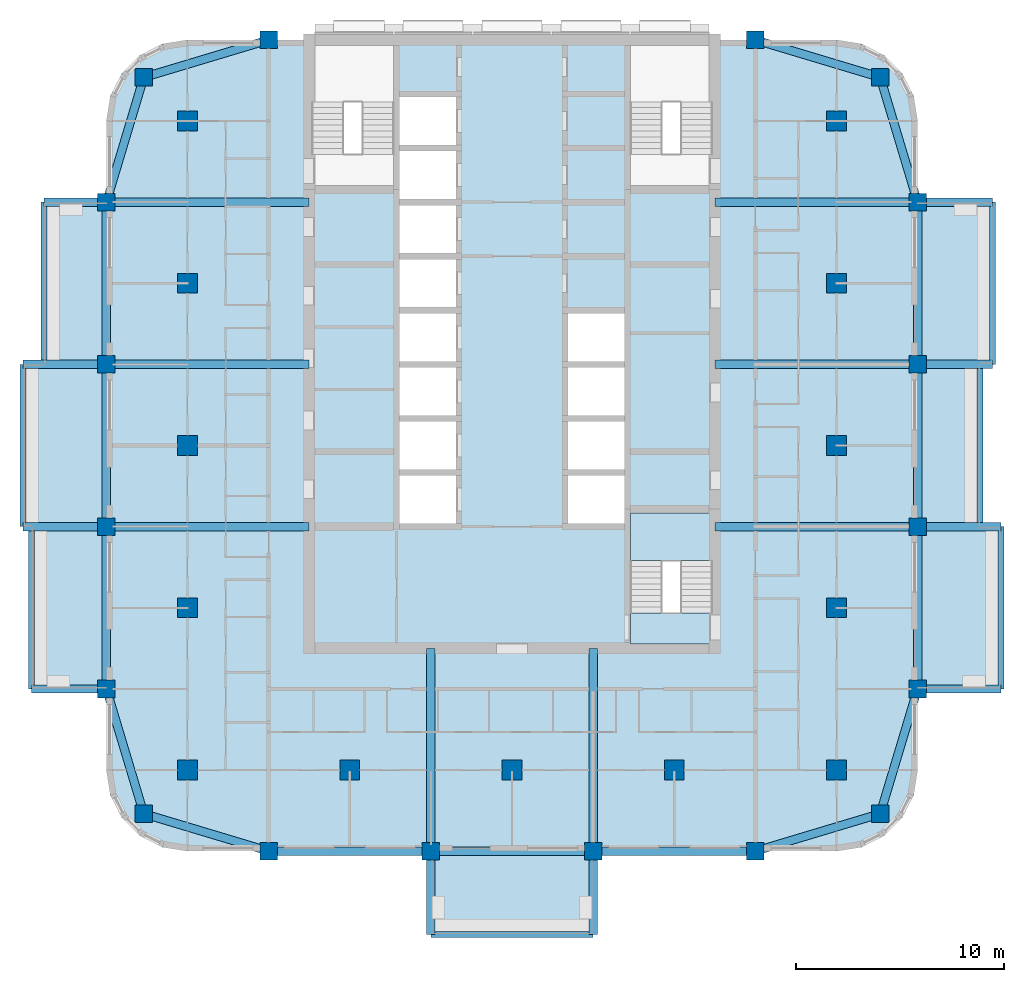
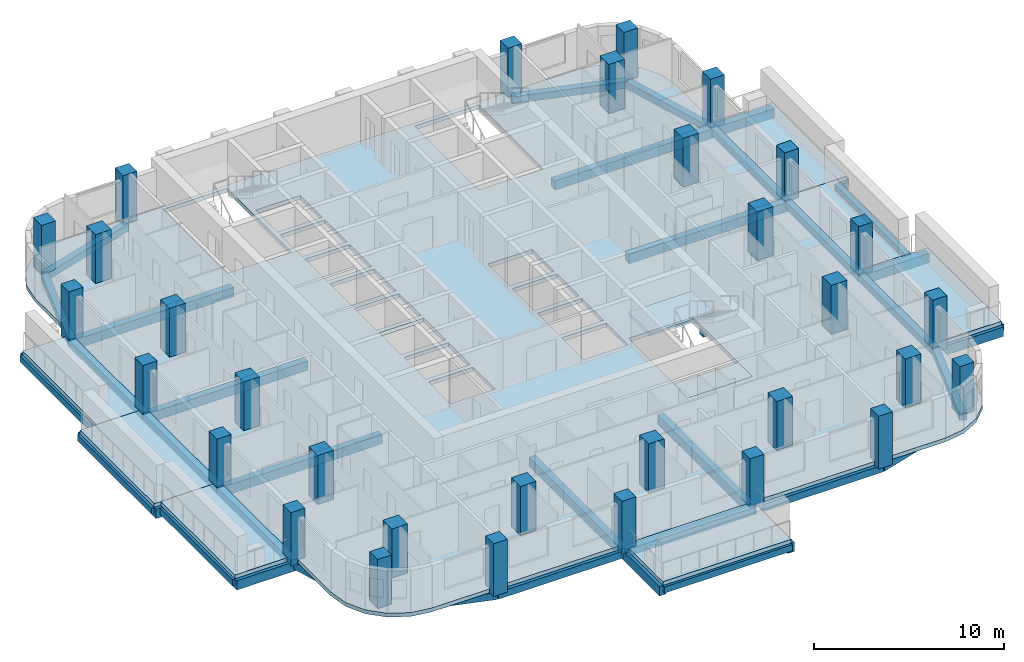
# One storey, part 1 of 14: 42 beams, 31 columns, 10 slabs, 1 element without a shape of its own.
"""IFC4 building model written with IfcOpenShell, lengths in metres."""

from ifc_helpers import new_model, si_unit, direction, frame, origin, origin_2d, place, context, subcontext, project, spatial, polyline, rectangle, outline, extrude, material, layer, layer_set, material_profile, profile_set, type_object, element, aggregate, save


model = new_model("IFC4")

# Units and contexts
model_context = context("Model", 3, precision=1e-05, world=origin(), true_north=direction((0.0, 1.0)))
body_context = subcontext(model_context, "Body", "Model", "MODEL_VIEW")
ifc_project = project(units=[si_unit("LENGTHUNIT", "METRE"), si_unit("AREAUNIT", "SQUARE_METRE"), si_unit("VOLUMEUNIT", "CUBIC_METRE"), si_unit("PLANEANGLEUNIT", "RADIAN"), si_unit("MASSUNIT", "GRAM", prefix="KILO")], contexts=[model_context])

# Site, building, storey
site_placement = place(None, origin())
site = spatial("IfcSite", under=ifc_project, at=site_placement, CompositionType="ELEMENT")
building_placement = place(site_placement, origin())
building = spatial("IfcBuilding", under=site, at=building_placement, Name="Ludao Terraces", CompositionType="ELEMENT")
storey_placement = place(building_placement, frame((0.0, 0.0, 106.699951171875)))
storey = spatial("IfcBuildingStorey", under=building, at=storey_placement, Name="L29", CompositionType="ELEMENT", Elevation=106.699951171875)

# Columns
ifc_material_1 = material(Name="Concrete C50", Category="concrete")
ifc_material_profile_1 = material_profile(ifc_material_1, rectangle(XDim=0.85009765625, YDim=0.85009765625, at=origin_2d()), Name="850 X 850")
ifc_profile_set_1 = profile_set([ifc_material_profile_1], Name="Concrete C50")
column_type_1 = type_object("IfcColumnType", Name="RC column 850x850 C50", PredefinedType="COLUMN", material=ifc_profile_set_1)
for number, where, z_axis, x_axis, name in (
    (1, (67.300048828125, 47.300048828125, -0.25), (0.0, 0.0, 1.0), (1.0, 0.0, 0.0), "Column L29 C0057x0057"),
    (2, (102.699951171875, 47.300048828125, -0.25), (0.0, 0.0, 1.0), (1.0, 0.0, 0.0), "Column L29 C0411x0057"),
    (3, (67.300048828125, 82.699951171875, -0.25), (0.0, 0.0, 1.0), (1.0, 0.0, 0.0), "Column L29 C0057x0411"),
    (4, (102.699951171875, 82.699951171875, -0.25), (0.0, 0.0, 1.0), (1.0, 0.0, 0.0), "Column L29 C0411x0411"),
    (5, (65.5, 53.300048828125, -0.25), (0.0, 0.0, 1.0), (1.0, 0.0, 0.0), "Column L29 W0039x0117"),
    (6, (104.5, 53.300048828125, -0.25), (0.0, 0.0, 1.0), (1.0, 0.0, 0.0), "Column L29 W0429x0117"),
    (7, (73.300048828125, 45.5, -0.25), (0.0, 0.0, 1.0), (1.0, 0.0, 0.0), "Column L29 W0117x0039"),
    (8, (73.300048828125, 84.5, -0.25), (0.0, 0.0, 1.0), (1.0, 0.0, 0.0), "Column L29 W0117x0429"),
    (9, (65.5, 61.10009765625, -0.25), (0.0, 0.0, 1.0), (1.0, 0.0, 0.0), "Column L29 W0039x0195"),
    (10, (104.5, 61.10009765625, -0.25), (0.0, 0.0, 1.0), (1.0, 0.0, 0.0), "Column L29 W0429x0195"),
    (11, (81.10009765625, 45.5, -0.25), (0.0, 0.0, 1.0), (1.0, 0.0, 0.0), "Column L29 W0195x0039"),
    (12, (65.5, 68.89990234375, -0.25), (0.0, 0.0, 1.0), (1.0, 0.0, 0.0), "Column L29 W0039x0273"),
    (13, (104.5, 68.89990234375, -0.25), (0.0, 0.0, 1.0), (1.0, 0.0, 0.0), "Column L29 W0429x0273"),
    (14, (88.89990234375, 45.5, -0.25), (0.0, 0.0, 1.0), (1.0, 0.0, 0.0), "Column L29 W0273x0039"),
    (15, (65.5, 76.699951171875, -0.25), (0.0, 0.0, 1.0), (1.0, 0.0, 0.0), "Column L29 W0039x0351"),
    (16, (104.5, 76.699951171875, -0.25), (0.0, 0.0, 1.0), (1.0, 0.0, 0.0), "Column L29 W0429x0351"),
    (17, (96.699951171875, 45.5, -0.25), (0.0, 0.0, 1.0), (1.0, 0.0, 0.0), "Column L29 W0351x0039"),
    (18, (96.699951171875, 84.5, -0.25), (0.0, 0.0, 1.0), (1.0, 0.0, 0.0), "Column L29 W0351x0429"),
):
    element("IfcColumn", number, at=place(storey_placement, frame(where, z_axis=z_axis, x_axis=x_axis)), inside=storey, type_object=column_type_1, Name=name, PredefinedType="COLUMN", context=body_context, shape_type="SweptSolid", body=[
        extrude(rectangle(XDim=0.85009765625, YDim=0.85009765625, at=origin_2d()), origin(), (0.0, 0.0, 1.0), 3.400146484375),
    ])
ifc_material_profile_2 = material_profile(ifc_material_1, rectangle(XDim=0.949951171875, YDim=0.949951171875, at=origin_2d()), Name="950 X 950")
ifc_profile_set_2 = profile_set([ifc_material_profile_2], Name="Concrete C50")
column_type_2 = type_object("IfcColumnType", Name="RC column 950x950 C50", PredefinedType="COLUMN", material=ifc_profile_set_2)
for number, where, z_axis, x_axis, name in (
    (19, (69.39990234375, 49.39990234375, -0.25), (0.0, 0.0, 1.0), (1.0, 0.0, 0.0), "Column L29 S0078x0078"),
    (20, (69.39990234375, 57.199951171875, -0.25), (0.0, 0.0, 1.0), (1.0, 0.0, 0.0), "Column L29 S0078x0156"),
    (21, (69.39990234375, 65.0, -0.25), (0.0, 0.0, 1.0), (1.0, 0.0, 0.0), "Column L29 S0078x0234"),
    (22, (69.39990234375, 72.800048828125, -0.25), (0.0, 0.0, 1.0), (1.0, 0.0, 0.0), "Column L29 S0078x0312"),
    (23, (69.39990234375, 80.60009765625, -0.25), (0.0, 0.0, 1.0), (1.0, 0.0, 0.0), "Column L29 S0078x0390"),
    (24, (77.199951171875, 49.39990234375, -0.25), (0.0, 0.0, 1.0), (1.0, 0.0, 0.0), "Column L29 S0156x0078"),
    (25, (85.0, 49.39990234375, -0.25), (0.0, 0.0, 1.0), (1.0, 0.0, 0.0), "Column L29 S0234x0078"),
    (26, (92.800048828125, 49.39990234375, -0.25), (0.0, 0.0, 1.0), (1.0, 0.0, 0.0), "Column L29 S0312x0078"),
    (27, (100.60009765625, 49.39990234375, -0.25), (0.0, 0.0, 1.0), (1.0, 0.0, 0.0), "Column L29 S0390x0078"),
    (28, (100.60009765625, 57.199951171875, -0.25), (0.0, 0.0, 1.0), (1.0, 0.0, 0.0), "Column L29 S0390x0156"),
    (29, (100.60009765625, 65.0, -0.25), (0.0, 0.0, 1.0), (1.0, 0.0, 0.0), "Column L29 S0390x0234"),
    (30, (100.60009765625, 72.800048828125, -0.25), (0.0, 0.0, 1.0), (1.0, 0.0, 0.0), "Column L29 S0390x0312"),
    (31, (100.60009765625, 80.60009765625, -0.25), (0.0, 0.0, 1.0), (1.0, 0.0, 0.0), "Column L29 S0390x0390"),
):
    element("IfcColumn", number, at=place(storey_placement, frame(where, z_axis=z_axis, x_axis=x_axis)), inside=storey, type_object=column_type_2, Name=name, PredefinedType="COLUMN", context=body_context, shape_type="SweptSolid", body=[
        extrude(rectangle(XDim=0.949951171875, YDim=0.949951171875, at=origin_2d()), origin(), (0.0, 0.0, 1.0), 3.400146484375),
    ])

# Beams
ifc_material_2 = material(Name="Concrete C40", Category="concrete")
ifc_material_profile_3 = material_profile(ifc_material_2, rectangle(XDim=0.300048828125, YDim=0.39990234375, at=origin_2d()), Name="300 X 400")
ifc_profile_set_3 = profile_set([ifc_material_profile_3], Name="Concrete C40")
beam_type_1 = type_object("IfcBeamType", Name="RC beam 300x400 C40", PredefinedType="BEAM", material=ifc_profile_set_3)
beam_1_placement = place(storey_placement, frame((81.10009765625, 41.5, -0.449951171875), z_axis=(1.0, 0.0, 0.0), x_axis=(0.0, 1.0, 0.0)))
element("IfcBeam", 32, at=beam_1_placement, inside=storey, type_object=beam_type_1, Name="Balcony edge beam L29 S1", PredefinedType="BEAM", context=body_context, shape_type="SweptSolid", body=[
    extrude(rectangle(XDim=0.300048828125, YDim=0.39990234375, at=origin_2d()), origin(), (0.0, 0.0, 1.0), 7.7998046875),
])
beam_2_placement = place(storey_placement, frame((108.5, 53.300048828125, -0.449951171875), z_axis=(0.0, 1.0, 0.0), x_axis=(-1.0, 0.0, 0.0)))
element("IfcBeam", 33, at=beam_2_placement, inside=storey, type_object=beam_type_1, Name="Balcony edge beam L29 E1", PredefinedType="BEAM", context=body_context, shape_type="SweptSolid", body=[
    extrude(rectangle(XDim=0.300048828125, YDim=0.39990234375, at=origin_2d()), origin(), (0.0, 0.0, 1.0), 7.800048828125),
])
beam_3_placement = place(storey_placement, frame((107.5, 61.10009765625, -0.449951171875), z_axis=(0.0, 1.0, 0.0), x_axis=(-1.0, 0.0, 0.0)))
element("IfcBeam", 34, at=beam_3_placement, inside=storey, type_object=beam_type_1, Name="Balcony edge beam L29 E2", PredefinedType="BEAM", context=body_context, shape_type="SweptSolid", body=[
    extrude(rectangle(XDim=0.300048828125, YDim=0.39990234375, at=origin_2d()), origin(), (0.0, 0.0, 1.0), 7.7998046875),
])
for number, where, z_axis, x_axis, name in (
    (35, (108.10009765625, 68.89990234375, -0.449951171875), (0.0, 1.0, 0.0), (-1.0, 0.0, 0.0), "Balcony edge beam L29 E3"),
    (36, (61.89990234375, 53.300048828125, -0.449951171875), (0.0, 1.0, 0.0), (-1.0, 0.0, 0.0), "Balcony edge beam L29 W1"),
):
    element("IfcBeam", number, at=place(storey_placement, frame(where, z_axis=z_axis, x_axis=x_axis)), inside=storey, type_object=beam_type_1, Name=name, PredefinedType="BEAM", context=body_context, shape_type="SweptSolid", body=[
        extrude(rectangle(XDim=0.300048828125, YDim=0.39990234375, at=origin_2d()), origin(), (0.0, 0.0, 1.0), 7.800048828125),
    ])
beam_4_placement = place(storey_placement, frame((61.5, 61.10009765625, -0.449951171875), z_axis=(0.0, 1.0, 0.0), x_axis=(-1.0, 0.0, 0.0)))
element("IfcBeam", 37, at=beam_4_placement, inside=storey, type_object=beam_type_1, Name="Balcony edge beam L29 W2", PredefinedType="BEAM", context=body_context, shape_type="SweptSolid", body=[
    extrude(rectangle(XDim=0.300048828125, YDim=0.39990234375, at=origin_2d()), origin(), (0.0, 0.0, 1.0), 7.7998046875),
])
beam_5_placement = place(storey_placement, frame((62.5, 68.89990234375, -0.449951171875), z_axis=(0.0, 1.0, 0.0), x_axis=(-1.0, 0.0, 0.0)))
element("IfcBeam", 38, at=beam_5_placement, inside=storey, type_object=beam_type_1, Name="Balcony edge beam L29 W3", PredefinedType="BEAM", context=body_context, shape_type="SweptSolid", body=[
    extrude(rectangle(XDim=0.300048828125, YDim=0.39990234375, at=origin_2d()), origin(), (0.0, 0.0, 1.0), 7.800048828125),
])
ifc_material_profile_4 = material_profile(ifc_material_2, rectangle(XDim=0.39990234375, YDim=0.449951171875, at=origin_2d()), Name="400 X 450")
ifc_profile_set_4 = profile_set([ifc_material_profile_4], Name="Concrete C40")
beam_type_2 = type_object("IfcBeamType", Name="RC beam 400x450 C40", PredefinedType="BEAM", material=ifc_profile_set_4)
beam_6_placement = place(storey_placement, frame((67.300048828125, 47.300048828125, -0.474853515625), z_axis=(0.957824139839, -0.287355036744, 0.0), x_axis=(0.287355036744, 0.957824139839, 0.0)))
element("IfcBeam", 39, at=beam_6_placement, inside=storey, type_object=beam_type_2, Name="Spandrel beam L29 S1", PredefinedType="BEAM", context=body_context, shape_type="SweptSolid", body=[
    extrude(rectangle(XDim=0.39990234375, YDim=0.449951171875, at=origin_2d()), origin(), (0.0, 0.0, 1.0), 6.26416015625),
])
beam_7_placement = place(storey_placement, frame((73.300048828125, 45.5, -0.474853515625), z_axis=(1.0, 0.0, 0.0), x_axis=(0.0, 1.0, 0.0)))
element("IfcBeam", 40, at=beam_7_placement, inside=storey, type_object=beam_type_2, Name="Spandrel beam L29 S2", PredefinedType="BEAM", context=body_context, shape_type="SweptSolid", body=[
    extrude(rectangle(XDim=0.39990234375, YDim=0.449951171875, at=origin_2d()), origin(), (0.0, 0.0, 1.0), 7.800048828125),
])
beam_8_placement = place(storey_placement, frame((81.10009765625, 45.5, -0.474853515625), z_axis=(1.0, 0.0, 0.0), x_axis=(0.0, 1.0, 0.0)))
element("IfcBeam", 41, at=beam_8_placement, inside=storey, type_object=beam_type_2, Name="Spandrel beam L29 S3", PredefinedType="BEAM", context=body_context, shape_type="SweptSolid", body=[
    extrude(rectangle(XDim=0.39990234375, YDim=0.449951171875, at=origin_2d()), origin(), (0.0, 0.0, 1.0), 7.7998046875),
])
beam_9_placement = place(storey_placement, frame((88.89990234375, 45.5, -0.474853515625), z_axis=(1.0, 0.0, 0.0), x_axis=(0.0, 1.0, 0.0)))
element("IfcBeam", 42, at=beam_9_placement, inside=storey, type_object=beam_type_2, Name="Spandrel beam L29 S4", PredefinedType="BEAM", context=body_context, shape_type="SweptSolid", body=[
    extrude(rectangle(XDim=0.39990234375, YDim=0.449951171875, at=origin_2d()), origin(), (0.0, 0.0, 1.0), 7.800048828125),
])
for number, where, z_axis, x_axis, name in (
    (43, (96.699951171875, 45.5, -0.474853515625), (0.957824139839, 0.287355036744, 0.0), (-0.287355036744, 0.957824139839, 0.0), "Spandrel beam L29 S5"),
    (44, (67.300048828125, 82.699951171875, -0.474853515625), (0.957824139839, 0.287355036744, 0.0), (-0.287355036744, 0.957824139839, 0.0), "Spandrel beam L29 N6"),
    (45, (96.699951171875, 84.5, -0.474853515625), (0.957824139839, -0.287355036744, 0.0), (0.287355036744, 0.957824139839, 0.0), "Spandrel beam L29 N7"),
    (46, (67.300048828125, 47.300048828125, -0.474853515625), (-0.287355036744, 0.957824139839, 0.0), (-0.957824139839, -0.287355036744, 0.0), "Spandrel beam L29 W8"),
):
    element("IfcBeam", number, at=place(storey_placement, frame(where, z_axis=z_axis, x_axis=x_axis)), inside=storey, type_object=beam_type_2, Name=name, PredefinedType="BEAM", context=body_context, shape_type="SweptSolid", body=[
        extrude(rectangle(XDim=0.39990234375, YDim=0.449951171875, at=origin_2d()), origin(), (0.0, 0.0, 1.0), 6.26416015625),
    ])
beam_10_placement = place(storey_placement, frame((65.5, 53.300048828125, -0.474853515625), z_axis=(0.0, 1.0, 0.0), x_axis=(-1.0, 0.0, 0.0)))
element("IfcBeam", 47, at=beam_10_placement, inside=storey, type_object=beam_type_2, Name="Spandrel beam L29 W9", PredefinedType="BEAM", context=body_context, shape_type="SweptSolid", body=[
    extrude(rectangle(XDim=0.39990234375, YDim=0.449951171875, at=origin_2d()), origin(), (0.0, 0.0, 1.0), 7.800048828125),
])
beam_11_placement = place(storey_placement, frame((65.5, 61.10009765625, -0.474853515625), z_axis=(0.0, 1.0, 0.0), x_axis=(-1.0, 0.0, 0.0)))
element("IfcBeam", 48, at=beam_11_placement, inside=storey, type_object=beam_type_2, Name="Spandrel beam L29 W10", PredefinedType="BEAM", context=body_context, shape_type="SweptSolid", body=[
    extrude(rectangle(XDim=0.39990234375, YDim=0.449951171875, at=origin_2d()), origin(), (0.0, 0.0, 1.0), 7.7998046875),
])
beam_12_placement = place(storey_placement, frame((65.5, 68.89990234375, -0.474853515625), z_axis=(0.0, 1.0, 0.0), x_axis=(-1.0, 0.0, 0.0)))
element("IfcBeam", 49, at=beam_12_placement, inside=storey, type_object=beam_type_2, Name="Spandrel beam L29 W11", PredefinedType="BEAM", context=body_context, shape_type="SweptSolid", body=[
    extrude(rectangle(XDim=0.39990234375, YDim=0.449951171875, at=origin_2d()), origin(), (0.0, 0.0, 1.0), 7.800048828125),
])
for number, where, z_axis, x_axis, name in (
    (50, (65.5, 76.699951171875, -0.474853515625), (0.287355036744, 0.957824139839, 0.0), (-0.957824139839, 0.287355036744, 0.0), "Spandrel beam L29 W12"),
    (51, (102.699951171875, 47.300048828125, -0.474853515625), (0.287355036744, 0.957824139839, 0.0), (-0.957824139839, 0.287355036744, 0.0), "Spandrel beam L29 E13"),
):
    element("IfcBeam", number, at=place(storey_placement, frame(where, z_axis=z_axis, x_axis=x_axis)), inside=storey, type_object=beam_type_2, Name=name, PredefinedType="BEAM", context=body_context, shape_type="SweptSolid", body=[
        extrude(rectangle(XDim=0.39990234375, YDim=0.449951171875, at=origin_2d()), origin(), (0.0, 0.0, 1.0), 6.26416015625),
    ])
beam_13_placement = place(storey_placement, frame((104.5, 53.300048828125, -0.474853515625), z_axis=(0.0, 1.0, 0.0), x_axis=(-1.0, 0.0, 0.0)))
element("IfcBeam", 52, at=beam_13_placement, inside=storey, type_object=beam_type_2, Name="Spandrel beam L29 E14", PredefinedType="BEAM", context=body_context, shape_type="SweptSolid", body=[
    extrude(rectangle(XDim=0.39990234375, YDim=0.449951171875, at=origin_2d()), origin(), (0.0, 0.0, 1.0), 7.800048828125),
])
beam_14_placement = place(storey_placement, frame((104.5, 61.10009765625, -0.474853515625), z_axis=(0.0, 1.0, 0.0), x_axis=(-1.0, 0.0, 0.0)))
element("IfcBeam", 53, at=beam_14_placement, inside=storey, type_object=beam_type_2, Name="Spandrel beam L29 E15", PredefinedType="BEAM", context=body_context, shape_type="SweptSolid", body=[
    extrude(rectangle(XDim=0.39990234375, YDim=0.449951171875, at=origin_2d()), origin(), (0.0, 0.0, 1.0), 7.7998046875),
])
beam_15_placement = place(storey_placement, frame((104.5, 68.89990234375, -0.474853515625), z_axis=(0.0, 1.0, 0.0), x_axis=(-1.0, 0.0, 0.0)))
element("IfcBeam", 54, at=beam_15_placement, inside=storey, type_object=beam_type_2, Name="Spandrel beam L29 E16", PredefinedType="BEAM", context=body_context, shape_type="SweptSolid", body=[
    extrude(rectangle(XDim=0.39990234375, YDim=0.449951171875, at=origin_2d()), origin(), (0.0, 0.0, 1.0), 7.800048828125),
])
beam_16_placement = place(storey_placement, frame((104.5, 76.699951171875, -0.474853515625), z_axis=(-0.287355036744, 0.957824139839, 0.0), x_axis=(-0.957824139839, -0.287355036744, 0.0)))
element("IfcBeam", 55, at=beam_16_placement, inside=storey, type_object=beam_type_2, Name="Spandrel beam L29 E17", PredefinedType="BEAM", context=body_context, shape_type="SweptSolid", body=[
    extrude(rectangle(XDim=0.39990234375, YDim=0.449951171875, at=origin_2d()), origin(), (0.0, 0.0, 1.0), 6.26416015625),
])
ifc_material_profile_5 = material_profile(ifc_material_2, rectangle(XDim=0.39990234375, YDim=0.60009765625, at=origin_2d()), Name="400 X 600")
ifc_profile_set_5 = profile_set([ifc_material_profile_5], Name="Concrete C40")
beam_type_3 = type_object("IfcBeamType", Name="RC beam 400x600 C40", PredefinedType="BEAM", material=ifc_profile_set_5)
beam_17_placement = place(storey_placement, frame((104.5, 53.300048828125, -0.550048828125), z_axis=(1.0, 0.0, 0.0), x_axis=(0.0, 1.0, 0.0)))
element("IfcBeam", 56, at=beam_17_placement, inside=storey, type_object=beam_type_3, Name="Balcony beam L29 E533", PredefinedType="BEAM", context=body_context, shape_type="SweptSolid", body=[
    extrude(rectangle(XDim=0.39990234375, YDim=0.60009765625, at=origin_2d()), origin(), (0.0, 0.0, 1.0), 4.0),
])
beam_18_placement = place(storey_placement, frame((94.75, 61.10009765625, -0.550048828125), z_axis=(1.0, 0.0, 0.0), x_axis=(0.0, 1.0, 0.0)))
element("IfcBeam", 57, at=beam_18_placement, inside=storey, type_object=beam_type_3, Name="Balcony beam L29 E611", PredefinedType="BEAM", context=body_context, shape_type="SweptSolid", body=[
    extrude(rectangle(XDim=0.39990234375, YDim=0.60009765625, at=origin_2d()), origin(), (0.0, 0.0, 1.0), 9.75),
])
beam_19_placement = place(storey_placement, frame((104.5, 61.10009765625, -0.550048828125), z_axis=(1.0, 0.0, 0.0), x_axis=(0.0, 1.0, 0.0)))
element("IfcBeam", 58, at=beam_19_placement, inside=storey, type_object=beam_type_3, Name="Balcony beam L29 E611", PredefinedType="BEAM", context=body_context, shape_type="SweptSolid", body=[
    extrude(rectangle(XDim=0.39990234375, YDim=0.60009765625, at=origin_2d()), origin(), (0.0, 0.0, 1.0), 4.0),
])
beam_20_placement = place(storey_placement, frame((94.75, 68.89990234375, -0.550048828125), z_axis=(1.0, 0.0, 0.0), x_axis=(0.0, 1.0, 0.0)))
element("IfcBeam", 59, at=beam_20_placement, inside=storey, type_object=beam_type_3, Name="Balcony beam L29 E689", PredefinedType="BEAM", context=body_context, shape_type="SweptSolid", body=[
    extrude(rectangle(XDim=0.39990234375, YDim=0.60009765625, at=origin_2d()), origin(), (0.0, 0.0, 1.0), 9.75),
])
beam_21_placement = place(storey_placement, frame((104.5, 68.89990234375, -0.550048828125), z_axis=(1.0, 0.0, 0.0), x_axis=(0.0, 1.0, 0.0)))
element("IfcBeam", 60, at=beam_21_placement, inside=storey, type_object=beam_type_3, Name="Balcony beam L29 E689", PredefinedType="BEAM", context=body_context, shape_type="SweptSolid", body=[
    extrude(rectangle(XDim=0.39990234375, YDim=0.60009765625, at=origin_2d()), origin(), (0.0, 0.0, 1.0), 3.60009765625),
])
beam_22_placement = place(storey_placement, frame((94.75, 76.699951171875, -0.550048828125), z_axis=(1.0, 0.0, 0.0), x_axis=(0.0, 1.0, 0.0)))
element("IfcBeam", 61, at=beam_22_placement, inside=storey, type_object=beam_type_3, Name="Balcony beam L29 E767", PredefinedType="BEAM", context=body_context, shape_type="SweptSolid", body=[
    extrude(rectangle(XDim=0.39990234375, YDim=0.60009765625, at=origin_2d()), origin(), (0.0, 0.0, 1.0), 9.75),
])
beam_23_placement = place(storey_placement, frame((104.5, 76.699951171875, -0.550048828125), z_axis=(1.0, 0.0, 0.0), x_axis=(0.0, 1.0, 0.0)))
element("IfcBeam", 62, at=beam_23_placement, inside=storey, type_object=beam_type_3, Name="Balcony beam L29 E767", PredefinedType="BEAM", context=body_context, shape_type="SweptSolid", body=[
    extrude(rectangle(XDim=0.39990234375, YDim=0.60009765625, at=origin_2d()), origin(), (0.0, 0.0, 1.0), 3.60009765625),
])
beam_24_placement = place(storey_placement, frame((81.10009765625, 55.25, -0.550048828125), z_axis=(0.0, -1.0, 0.0), x_axis=(1.0, 0.0, 0.0)))
element("IfcBeam", 63, at=beam_24_placement, inside=storey, type_object=beam_type_3, Name="Balcony beam L29 S811", PredefinedType="BEAM", context=body_context, shape_type="SweptSolid", body=[
    extrude(rectangle(XDim=0.39990234375, YDim=0.60009765625, at=origin_2d()), origin(), (0.0, 0.0, 1.0), 9.75),
])
beam_25_placement = place(storey_placement, frame((81.10009765625, 45.5, -0.550048828125), z_axis=(0.0, -1.0, 0.0), x_axis=(1.0, 0.0, 0.0)))
element("IfcBeam", 64, at=beam_25_placement, inside=storey, type_object=beam_type_3, Name="Balcony beam L29 S811", PredefinedType="BEAM", context=body_context, shape_type="SweptSolid", body=[
    extrude(rectangle(XDim=0.39990234375, YDim=0.60009765625, at=origin_2d()), origin(), (0.0, 0.0, 1.0), 4.0),
])
beam_26_placement = place(storey_placement, frame((88.89990234375, 55.25, -0.550048828125), z_axis=(0.0, -1.0, 0.0), x_axis=(1.0, 0.0, 0.0)))
element("IfcBeam", 65, at=beam_26_placement, inside=storey, type_object=beam_type_3, Name="Balcony beam L29 S889", PredefinedType="BEAM", context=body_context, shape_type="SweptSolid", body=[
    extrude(rectangle(XDim=0.39990234375, YDim=0.60009765625, at=origin_2d()), origin(), (0.0, 0.0, 1.0), 9.75),
])
beam_27_placement = place(storey_placement, frame((88.89990234375, 45.5, -0.550048828125), z_axis=(0.0, -1.0, 0.0), x_axis=(1.0, 0.0, 0.0)))
element("IfcBeam", 66, at=beam_27_placement, inside=storey, type_object=beam_type_3, Name="Balcony beam L29 S889", PredefinedType="BEAM", context=body_context, shape_type="SweptSolid", body=[
    extrude(rectangle(XDim=0.39990234375, YDim=0.60009765625, at=origin_2d()), origin(), (0.0, 0.0, 1.0), 4.0),
])
beam_28_placement = place(storey_placement, frame((65.5, 53.300048828125, -0.550048828125), z_axis=(-1.0, 0.0, 0.0), x_axis=(0.0, -1.0, 0.0)))
element("IfcBeam", 67, at=beam_28_placement, inside=storey, type_object=beam_type_3, Name="Balcony beam L29 W533", PredefinedType="BEAM", context=body_context, shape_type="SweptSolid", body=[
    extrude(rectangle(XDim=0.39990234375, YDim=0.60009765625, at=origin_2d()), origin(), (0.0, 0.0, 1.0), 3.60009765625),
])
beam_29_placement = place(storey_placement, frame((75.25, 61.10009765625, -0.550048828125), z_axis=(-1.0, 0.0, 0.0), x_axis=(0.0, -1.0, 0.0)))
element("IfcBeam", 68, at=beam_29_placement, inside=storey, type_object=beam_type_3, Name="Balcony beam L29 W611", PredefinedType="BEAM", context=body_context, shape_type="SweptSolid", body=[
    extrude(rectangle(XDim=0.39990234375, YDim=0.60009765625, at=origin_2d()), origin(), (0.0, 0.0, 1.0), 9.75),
])
beam_30_placement = place(storey_placement, frame((65.5, 61.10009765625, -0.550048828125), z_axis=(-1.0, 0.0, 0.0), x_axis=(0.0, -1.0, 0.0)))
element("IfcBeam", 69, at=beam_30_placement, inside=storey, type_object=beam_type_3, Name="Balcony beam L29 W611", PredefinedType="BEAM", context=body_context, shape_type="SweptSolid", body=[
    extrude(rectangle(XDim=0.39990234375, YDim=0.60009765625, at=origin_2d()), origin(), (0.0, 0.0, 1.0), 4.0),
])
beam_31_placement = place(storey_placement, frame((75.25, 68.89990234375, -0.550048828125), z_axis=(-1.0, 0.0, 0.0), x_axis=(0.0, -1.0, 0.0)))
element("IfcBeam", 70, at=beam_31_placement, inside=storey, type_object=beam_type_3, Name="Balcony beam L29 W689", PredefinedType="BEAM", context=body_context, shape_type="SweptSolid", body=[
    extrude(rectangle(XDim=0.39990234375, YDim=0.60009765625, at=origin_2d()), origin(), (0.0, 0.0, 1.0), 9.75),
])
beam_32_placement = place(storey_placement, frame((65.5, 68.89990234375, -0.550048828125), z_axis=(-1.0, 0.0, 0.0), x_axis=(0.0, -1.0, 0.0)))
element("IfcBeam", 71, at=beam_32_placement, inside=storey, type_object=beam_type_3, Name="Balcony beam L29 W689", PredefinedType="BEAM", context=body_context, shape_type="SweptSolid", body=[
    extrude(rectangle(XDim=0.39990234375, YDim=0.60009765625, at=origin_2d()), origin(), (0.0, 0.0, 1.0), 4.0),
])
beam_33_placement = place(storey_placement, frame((75.25, 76.699951171875, -0.550048828125), z_axis=(-1.0, 0.0, 0.0), x_axis=(0.0, -1.0, 0.0)))
element("IfcBeam", 72, at=beam_33_placement, inside=storey, type_object=beam_type_3, Name="Balcony beam L29 W767", PredefinedType="BEAM", context=body_context, shape_type="SweptSolid", body=[
    extrude(rectangle(XDim=0.39990234375, YDim=0.60009765625, at=origin_2d()), origin(), (0.0, 0.0, 1.0), 9.75),
])
beam_34_placement = place(storey_placement, frame((65.5, 76.699951171875, -0.550048828125), z_axis=(-1.0, 0.0, 0.0), x_axis=(0.0, -1.0, 0.0)))
element("IfcBeam", 73, at=beam_34_placement, inside=storey, type_object=beam_type_3, Name="Balcony beam L29 W767", PredefinedType="BEAM", context=body_context, shape_type="SweptSolid", body=[
    extrude(rectangle(XDim=0.39990234375, YDim=0.60009765625, at=origin_2d()), origin(), (0.0, 0.0, 1.0), 3.0),
])

# Slabs
ifc_layer_1 = layer(ifc_material_2, 0.25)
ifc_layer_set_1 = layer_set([ifc_layer_1], Name="Balcony slab 250 C40")
slab_type_1 = type_object("IfcSlabType", Name="Balcony slab 250 C40", PredefinedType="USERDEFINED", material=ifc_layer_set_1)
slab_1_placement = place(storey_placement, frame((0.0, 0.0, -0.25)))
element("IfcSlab", 74, at=slab_1_placement, inside=storey, type_object=slab_type_1, Name="Balcony L29 S1", ObjectType="BALCONY", PredefinedType="USERDEFINED", context=body_context, shape_type="SweptSolid", body=[
    extrude(outline(polyline([(81.10009765625, 41.5), (88.89990234375, 41.5), (88.89990234375, 45.5), (81.10009765625, 45.5), (81.10009765625, 41.5)])), origin(), (0.0, 0.0, 1.0), 0.25),
])
slab_2_placement = place(storey_placement, frame((0.0, 0.0, -0.25)))
element("IfcSlab", 75, at=slab_2_placement, inside=storey, type_object=slab_type_1, Name="Balcony L29 E1", ObjectType="BALCONY", PredefinedType="USERDEFINED", context=body_context, shape_type="SweptSolid", body=[
    extrude(outline(polyline([(104.5, 53.300048828125), (108.5, 53.300048828125), (108.5, 61.10009765625), (104.5, 61.10009765625), (104.5, 53.300048828125)])), origin(), (0.0, 0.0, 1.0), 0.25),
])
slab_3_placement = place(storey_placement, frame((0.0, 0.0, -0.25)))
element("IfcSlab", 76, at=slab_3_placement, inside=storey, type_object=slab_type_1, Name="Balcony L29 E2", ObjectType="BALCONY", PredefinedType="USERDEFINED", context=body_context, shape_type="SweptSolid", body=[
    extrude(outline(polyline([(104.5, 61.10009765625), (107.5, 61.10009765625), (107.5, 68.89990234375), (104.5, 68.89990234375), (104.5, 61.10009765625)])), origin(), (0.0, 0.0, 1.0), 0.25),
])
slab_4_placement = place(storey_placement, frame((0.0, 0.0, -0.25)))
element("IfcSlab", 77, at=slab_4_placement, inside=storey, type_object=slab_type_1, Name="Balcony L29 E3", ObjectType="BALCONY", PredefinedType="USERDEFINED", context=body_context, shape_type="SweptSolid", body=[
    extrude(outline(polyline([(104.5, 68.89990234375), (108.10009765625, 68.89990234375), (108.10009765625, 76.699951171875), (104.5, 76.699951171875), (104.5, 68.89990234375)])), origin(), (0.0, 0.0, 1.0), 0.25),
])
slab_5_placement = place(storey_placement, frame((0.0, 0.0, -0.25)))
element("IfcSlab", 78, at=slab_5_placement, inside=storey, type_object=slab_type_1, Name="Balcony L29 W1", ObjectType="BALCONY", PredefinedType="USERDEFINED", context=body_context, shape_type="SweptSolid", body=[
    extrude(outline(polyline([(61.89990234375, 53.300048828125), (65.5, 53.300048828125), (65.5, 61.10009765625), (61.89990234375, 61.10009765625), (61.89990234375, 53.300048828125)])), origin(), (0.0, 0.0, 1.0), 0.25),
])
slab_6_placement = place(storey_placement, frame((0.0, 0.0, -0.25)))
element("IfcSlab", 79, at=slab_6_placement, inside=storey, type_object=slab_type_1, Name="Balcony L29 W2", ObjectType="BALCONY", PredefinedType="USERDEFINED", context=body_context, shape_type="SweptSolid", body=[
    extrude(outline(polyline([(61.5, 61.10009765625), (65.5, 61.10009765625), (65.5, 68.89990234375), (61.5, 68.89990234375), (61.5, 61.10009765625)])), origin(), (0.0, 0.0, 1.0), 0.25),
])
slab_7_placement = place(storey_placement, frame((0.0, 0.0, -0.25)))
element("IfcSlab", 80, at=slab_7_placement, inside=storey, type_object=slab_type_1, Name="Balcony L29 W3", ObjectType="BALCONY", PredefinedType="USERDEFINED", context=body_context, shape_type="SweptSolid", body=[
    extrude(outline(polyline([(62.5, 68.89990234375), (65.5, 68.89990234375), (65.5, 76.699951171875), (62.5, 76.699951171875), (62.5, 68.89990234375)])), origin(), (0.0, 0.0, 1.0), 0.25),
])
ifc_layer_2 = layer(ifc_material_2, 0.25)
ifc_layer_set_2 = layer_set([ifc_layer_2], Name="Floor slab 250 C40")
slab_type_2 = type_object("IfcSlabType", Name="Floor slab 250 C40", PredefinedType="FLOOR", material=ifc_layer_set_2)
slab_8_placement = place(storey_placement, frame((0.0, 0.0, -0.25)))
element("IfcSlab", 81, at=slab_8_placement, inside=storey, type_object=slab_type_2, Name="Slab L29", PredefinedType="FLOOR", context=body_context, shape_type="SweptSolid", body=[
    extrude(outline(polyline([(100.60009765625, 45.5), (101.80517578125, 45.69091796875), (102.892333984375, 46.244873046875), (103.755126953125, 47.107666015625), (104.30908203125, 48.19482421875), (104.5, 49.39990234375), (104.5, 80.60009765625), (104.30908203125, 81.80517578125), (103.755126953125, 82.892333984375), (102.892333984375, 83.755126953125), (101.80517578125, 84.30908203125), (100.60009765625, 84.5), (69.39990234375, 84.5), (68.19482421875, 84.30908203125), (67.107666015625, 83.755126953125), (66.244873046875, 82.892333984375), (65.69091796875, 81.80517578125), (65.5, 80.60009765625), (65.5, 49.39990234375), (65.69091796875, 48.19482421875), (66.244873046875, 47.107666015625), (67.107666015625, 46.244873046875), (68.19482421875, 45.69091796875), (69.39990234375, 45.5), (100.60009765625, 45.5)]), holes=[polyline([(79.60009765625, 61.25), (82.300048828125, 61.25), (82.300048828125, 63.550048828125), (79.60009765625, 63.550048828125), (79.60009765625, 61.25)]), polyline([(79.60009765625, 63.85009765625), (82.300048828125, 63.85009765625), (82.300048828125, 66.14990234375), (79.60009765625, 66.14990234375), (79.60009765625, 63.85009765625)]), polyline([(79.60009765625, 66.449951171875), (82.300048828125, 66.449951171875), (82.300048828125, 68.75), (79.60009765625, 68.75), (79.60009765625, 66.449951171875)]), polyline([(79.60009765625, 69.050048828125), (82.300048828125, 69.050048828125), (82.300048828125, 71.35009765625), (79.60009765625, 71.35009765625), (79.60009765625, 69.050048828125)]), polyline([(79.60009765625, 71.64990234375), (82.300048828125, 71.64990234375), (82.300048828125, 73.949951171875), (79.60009765625, 73.949951171875), (79.60009765625, 71.64990234375)]), polyline([(79.60009765625, 74.25), (82.300048828125, 74.25), (82.300048828125, 76.550048828125), (79.60009765625, 76.550048828125), (79.60009765625, 74.25)]), polyline([(79.60009765625, 76.85009765625), (82.300048828125, 76.85009765625), (82.300048828125, 79.14990234375), (79.60009765625, 79.14990234375), (79.60009765625, 76.85009765625)]), polyline([(79.60009765625, 79.449951171875), (82.300048828125, 79.449951171875), (82.300048828125, 81.75), (79.60009765625, 81.75), (79.60009765625, 79.449951171875)]), polyline([(87.699951171875, 61.25), (90.39990234375, 61.25), (90.39990234375, 63.550048828125), (87.699951171875, 63.550048828125), (87.699951171875, 61.25)]), polyline([(87.699951171875, 63.85009765625), (90.39990234375, 63.85009765625), (90.39990234375, 66.14990234375), (87.699951171875, 66.14990234375), (87.699951171875, 63.85009765625)]), polyline([(87.699951171875, 66.449951171875), (90.39990234375, 66.449951171875), (90.39990234375, 68.75), (87.699951171875, 68.75), (87.699951171875, 66.449951171875)]), polyline([(87.699951171875, 69.050048828125), (90.39990234375, 69.050048828125), (90.39990234375, 71.35009765625), (87.699951171875, 71.35009765625), (87.699951171875, 69.050048828125)]), polyline([(75.39990234375, 77.5), (79.300048828125, 77.5), (79.300048828125, 84.239990234375), (75.39990234375, 84.239990234375), (75.39990234375, 77.5)]), polyline([(90.699951171875, 77.5), (94.60009765625, 77.5), (94.60009765625, 84.239990234375), (90.699951171875, 84.239990234375), (90.699951171875, 77.5)]), polyline([(90.699951171875, 55.449951171875), (94.60009765625, 55.449951171875), (94.60009765625, 61.75), (90.699951171875, 61.75), (90.699951171875, 55.449951171875)])]), origin(), (0.0, 0.0, 1.0), 0.25),
])

# Stair, slabs
stair_type = type_object("IfcStairType", Name="INT Stair", PredefinedType="HALF_TURN_STAIR", material=ifc_material_2)
stair_placement = place(storey_placement, origin())
stair = element("IfcStair", 82, at=stair_placement, inside=storey, type_object=stair_type, Name="EXIT STAIR 3", PredefinedType="HALF_TURN_STAIR")
ifc_layer_3 = layer(ifc_material_2, 0.199951171875)
ifc_layer_set_3 = layer_set([ifc_layer_3], Name="INT Stair landing 200")
slab_type_3 = type_object("IfcSlabType", Name="INT Stair landing 200", PredefinedType="LANDING", material=ifc_layer_set_3)
slab_9_placement = place(storey_placement, frame((0.0, 0.0, 1.5)))
slab_9 = element("IfcSlab", 83, at=slab_9_placement, type_object=slab_type_3, Name="ST3 landing 1", PredefinedType="LANDING", context=body_context, shape_type="SweptSolid", body=[
    extrude(outline(polyline([(90.699951171875, 59.469970703125), (94.60009765625, 59.469970703125), (94.60009765625, 61.75), (90.699951171875, 61.75), (90.699951171875, 59.469970703125)])), origin(), (0.0, 0.0, 1.0), 0.199951171875),
])
slab_10_placement = place(storey_placement, frame((0.0, 0.0, -0.199951171875)))
slab_10 = element("IfcSlab", 84, at=slab_10_placement, type_object=slab_type_3, Name="ST3 landing 2", PredefinedType="LANDING", context=body_context, shape_type="SweptSolid", body=[
    extrude(outline(polyline([(90.699951171875, 55.449951171875), (94.60009765625, 55.449951171875), (94.60009765625, 56.949951171875), (90.699951171875, 56.949951171875), (90.699951171875, 55.449951171875)])), origin(), (0.0, 0.0, 1.0), 0.199951171875),
])
aggregate(stair, [slab_9, slab_10])

save(model, "model.ifc")
